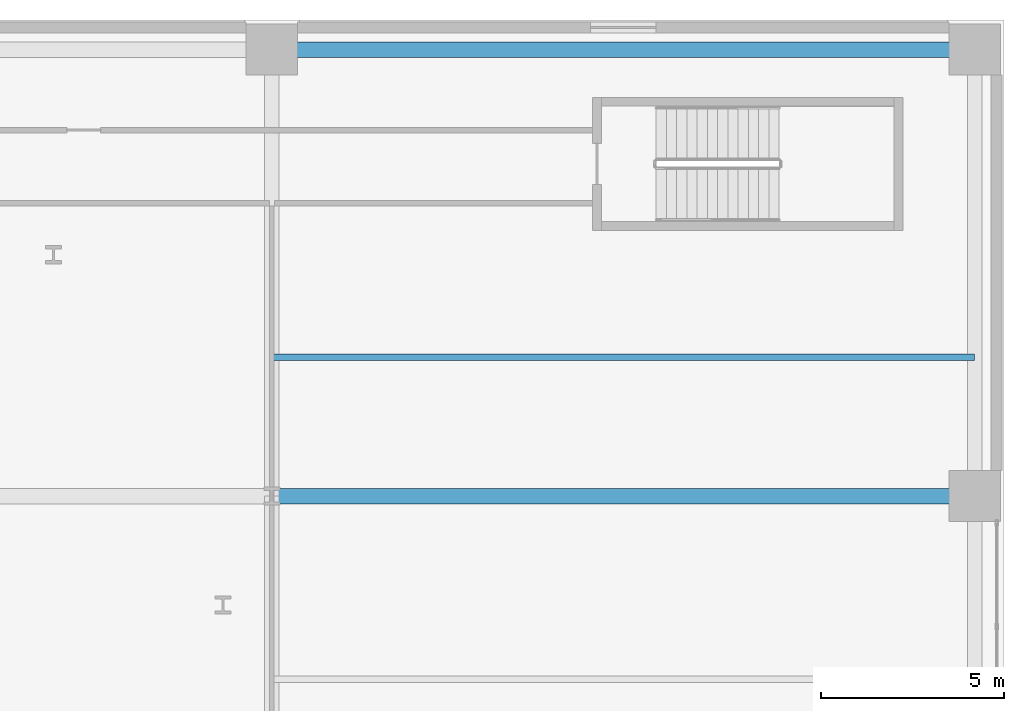
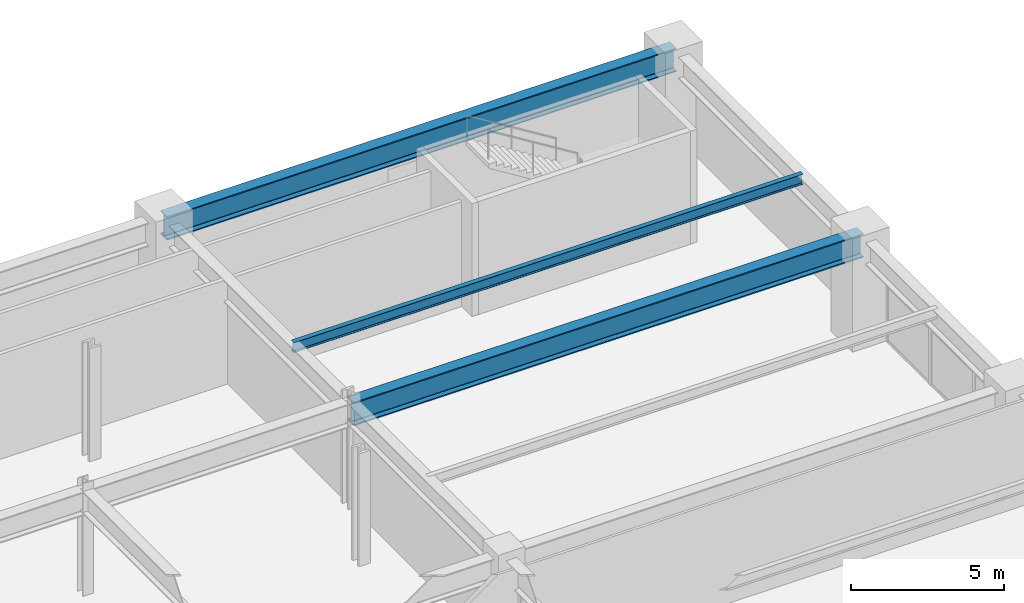
# One storey, part 17 of 28: 3 beams.
"""IFC4 building model written with IfcOpenShell, lengths in metres."""

from ifc_helpers import new_model, si_unit, direction, frame, origin, origin_2d, place, context, subcontext, project, spatial, i_section, extrude, material, material_profile, profile_set, type_object, element, save


model = new_model("IFC4")

# Units and contexts
model_context = context("Model", 3, precision=1e-05, world=origin(), true_north=direction((0.0, 1.0)))
body_context = subcontext(model_context, "Body", "Model", "MODEL_VIEW")
ifc_project = project(units=[si_unit("LENGTHUNIT", "METRE"), si_unit("AREAUNIT", "SQUARE_METRE"), si_unit("VOLUMEUNIT", "CUBIC_METRE"), si_unit("PLANEANGLEUNIT", "RADIAN"), si_unit("MASSUNIT", "GRAM", prefix="KILO")], contexts=[model_context])

# Site, building, storey
site_placement = place(None, origin())
site = spatial("IfcSite", under=ifc_project, at=site_placement, CompositionType="ELEMENT")
building_placement = place(site_placement, origin())
building = spatial("IfcBuilding", under=site, at=building_placement, Name="Soratama Intermodal Tower", CompositionType="ELEMENT")
storey_placement = place(building_placement, frame((0.0, 0.0, 16.199951171875)))
storey = spatial("IfcBuildingStorey", under=building, at=storey_placement, Name="L03", CompositionType="ELEMENT", Elevation=16.199951171875)

# Beams
ifc_material_1 = material(Name="Structural steel ASTM A992 Grade 50", Category="steel")
ifc_material_profile_1 = material_profile(ifc_material_1, i_section(OverallWidth=0.177978515625, OverallDepth=0.406982421875, WebThickness=0.0078125, FlangeThickness=0.0126953125, FilletRadius=0.010009765625, at=origin_2d()), Name="W16X40")
ifc_profile_set_1 = profile_set([ifc_material_profile_1], Name="Structural steel ASTM A992 Grade 50")
beam_type_1 = type_object("IfcBeamType", Name="BM-JST-W16X40", PredefinedType="JOIST", material=ifc_profile_set_1)
beam_1_placement = place(storey_placement, frame((64.0, 38.800048828125, 3.9765625), z_axis=(1.0, 0.0, 0.0), x_axis=(0.0, 1.0, 0.0)))
element("IfcBeam", 1, at=beam_1_placement, inside=storey, type_object=beam_type_1, Name="JST-L03-E4", PredefinedType="JOIST", context=body_context, shape_type="SweptSolid", body=[
    extrude(i_section(OverallWidth=0.177978515625, OverallDepth=0.406982421875, WebThickness=0.0078125, FlangeThickness=0.0126953125, FilletRadius=0.010009765625, at=origin_2d()), origin(), (0.0, 0.0, 1.0), 19.199951171875),
])
ifc_material_2 = material(Name="Structural steel ASTM A992 Grade 50", Category="steel")
ifc_material_profile_2 = material_profile(ifc_material_2, i_section(OverallWidth=0.423095703125, OverallDepth=0.93896484375, WebThickness=0.02392578125, FlangeThickness=0.042724609375, FilletRadius=0.02392578125, at=origin_2d()), Name="W36X302")
ifc_profile_set_2 = profile_set([ifc_material_profile_2], Name="Structural steel ASTM A992 Grade 50")
beam_type_2 = type_object("IfcBeamType", Name="BM-POD-EXT-W36", PredefinedType="BEAM", material=ifc_profile_set_2)
beam_2_placement = place(storey_placement, frame((64.0, 47.199951171875, 3.71044921875), z_axis=(1.0, 0.0, 0.0), x_axis=(0.0, 1.0, 0.0)))
element("IfcBeam", 2, at=beam_2_placement, inside=storey, type_object=beam_type_2, Name="L03 Station Girder X5-5", PredefinedType="BEAM", context=body_context, shape_type="SweptSolid", body=[
    extrude(i_section(OverallWidth=0.423095703125, OverallDepth=0.93896484375, WebThickness=0.02392578125, FlangeThickness=0.042724609375, FilletRadius=0.02392578125, at=origin_2d()), origin(), (0.0, 0.0, 1.0), 19.199951171875),
])
ifc_material_3 = material(Name="Structural steel ASTM A992 Grade 50", Category="steel")
ifc_material_profile_3 = material_profile(ifc_material_3, i_section(OverallWidth=0.423095703125, OverallDepth=0.93896484375, WebThickness=0.02392578125, FlangeThickness=0.042724609375, FilletRadius=0.02392578125, at=origin_2d()), Name="W36X302")
ifc_profile_set_3 = profile_set([ifc_material_profile_3], Name="Structural steel ASTM A992 Grade 50")
beam_type_3 = type_object("IfcBeamType", Name="BM-POD-W36X302", PredefinedType="BEAM", material=ifc_profile_set_3)
beam_3_placement = place(storey_placement, frame((64.0, 35.0, 3.71044921875), z_axis=(1.0, 0.0, 0.0), x_axis=(0.0, 1.0, 0.0)))
element("IfcBeam", 3, at=beam_3_placement, inside=storey, type_object=beam_type_3, Name="L03 Station Girder X4-5", PredefinedType="BEAM", context=body_context, shape_type="SweptSolid", body=[
    extrude(i_section(OverallWidth=0.423095703125, OverallDepth=0.93896484375, WebThickness=0.02392578125, FlangeThickness=0.042724609375, FilletRadius=0.02392578125, at=origin_2d()), origin(), (0.0, 0.0, 1.0), 19.199951171875),
])

save(model, "model.ifc")
